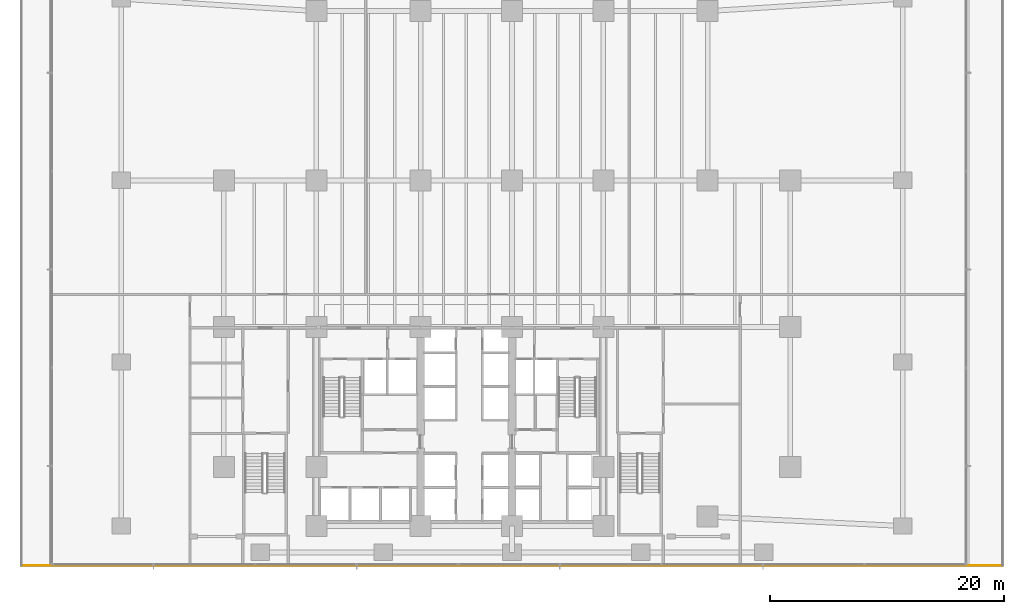
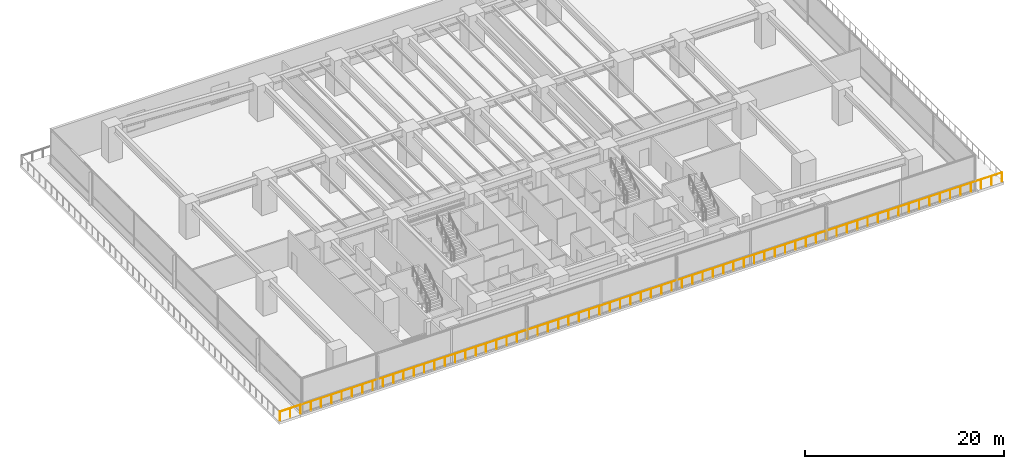
# One storey, part 21 of 27: 1 railing.
"""IFC4 building model written with IfcOpenShell, lengths in metres."""

from ifc_helpers import new_model, si_unit, direction, frame, origin, origin_2d, place, context, subcontext, project, spatial, circle, extrude, material, type_object, element, save


model = new_model("IFC4")

# Units and contexts
model_context = context("Model", 3, precision=1e-05, world=origin(), true_north=direction((0.0, 1.0)))
body_context = subcontext(model_context, "Body", "Model", "MODEL_VIEW")
ifc_project = project(units=[si_unit("LENGTHUNIT", "METRE"), si_unit("AREAUNIT", "SQUARE_METRE"), si_unit("VOLUMEUNIT", "CUBIC_METRE"), si_unit("PLANEANGLEUNIT", "RADIAN"), si_unit("MASSUNIT", "GRAM", prefix="KILO")], contexts=[model_context])

# Site, building, storey
site_placement = place(None, origin())
site = spatial("IfcSite", under=ifc_project, at=site_placement, CompositionType="ELEMENT")
building_placement = place(site_placement, origin())
building = spatial("IfcBuilding", under=site, at=building_placement, Name="Qalmaran Belvedere Hotel", CompositionType="ELEMENT")
storey_placement = place(building_placement, frame((0.0, 0.0, 5.39990234375)))
storey = spatial("IfcBuildingStorey", under=building, at=storey_placement, Name="L01", CompositionType="ELEMENT", Elevation=5.39990234375)

# Railing
ifc_material = material(Name="Anodised Bronze Aluminium", Category="aluminium")
railing_type = type_object("IfcRailingType", Name="GRD-TERR-1150", PredefinedType="BALUSTRADE", material=ifc_material)
railing_placement = place(storey_placement, frame((-4.824951171875, 0.139892578125, 0.0)))
element("IfcRailing", 1, at=railing_placement, inside=storey, type_object=railing_type, Name="L01 Guardrail L01-TERR-1", PredefinedType="BALUSTRADE", context=body_context, shape_type="SweptSolid", body=[
    extrude(circle(Radius=0.02392578125, at=origin_2d()), frame((0.0, 0.0, 1.1259765625), z_axis=(1.0, 0.0, 0.0), x_axis=(0.0, 1.0, 0.0)), (0.0, 0.0, 1.0), 83.64990234375),
    extrude(circle(Radius=0.02099609375, at=origin_2d()), origin(), (0.0, 0.0, 1.0), 1.101806640625),
    extrude(circle(Radius=0.02099609375, at=origin_2d()), frame((1.195068359375, 0.0, 0.0)), (0.0, 0.0, 1.0), 1.101806640625),
    extrude(circle(Radius=0.02099609375, at=origin_2d()), frame((2.389892578125, 0.0, 0.0)), (0.0, 0.0, 1.0), 1.101806640625),
    extrude(circle(Radius=0.02099609375, at=origin_2d()), frame((3.5849609375, 0.0, 0.0)), (0.0, 0.0, 1.0), 1.101806640625),
    extrude(circle(Radius=0.02099609375, at=origin_2d()), frame((4.780029296875, 0.0, 0.0)), (0.0, 0.0, 1.0), 1.101806640625),
    extrude(circle(Radius=0.02099609375, at=origin_2d()), frame((5.97509765625, 0.0, 0.0)), (0.0, 0.0, 1.0), 1.101806640625),
    extrude(circle(Radius=0.02099609375, at=origin_2d()), frame((7.169921875, 0.0, 0.0)), (0.0, 0.0, 1.0), 1.101806640625),
    extrude(circle(Radius=0.02099609375, at=origin_2d()), frame((8.364990234375, 0.0, 0.0)), (0.0, 0.0, 1.0), 1.101806640625),
    extrude(circle(Radius=0.02099609375, at=origin_2d()), frame((9.56005859375, 0.0, 0.0)), (0.0, 0.0, 1.0), 1.101806640625),
    extrude(circle(Radius=0.02099609375, at=origin_2d()), frame((10.7548828125, 0.0, 0.0)), (0.0, 0.0, 1.0), 1.101806640625),
    extrude(circle(Radius=0.02099609375, at=origin_2d()), frame((11.949951171875, 0.0, 0.0)), (0.0, 0.0, 1.0), 1.101806640625),
    extrude(circle(Radius=0.02099609375, at=origin_2d()), frame((13.14501953125, 0.0, 0.0)), (0.0, 0.0, 1.0), 1.101806640625),
    extrude(circle(Radius=0.02099609375, at=origin_2d()), frame((14.340087890625, 0.0, 0.0)), (0.0, 0.0, 1.0), 1.101806640625),
    extrude(circle(Radius=0.02099609375, at=origin_2d()), frame((15.534912109375, 0.0, 0.0)), (0.0, 0.0, 1.0), 1.101806640625),
    extrude(circle(Radius=0.02099609375, at=origin_2d()), frame((16.72998046875, 0.0, 0.0)), (0.0, 0.0, 1.0), 1.101806640625),
    extrude(circle(Radius=0.02099609375, at=origin_2d()), frame((17.925048828125, 0.0, 0.0)), (0.0, 0.0, 1.0), 1.101806640625),
    extrude(circle(Radius=0.02099609375, at=origin_2d()), frame((19.119873046875, 0.0, 0.0)), (0.0, 0.0, 1.0), 1.101806640625),
    extrude(circle(Radius=0.02099609375, at=origin_2d()), frame((20.31494140625, 0.0, 0.0)), (0.0, 0.0, 1.0), 1.101806640625),
    extrude(circle(Radius=0.02099609375, at=origin_2d()), frame((21.510009765625, 0.0, 0.0)), (0.0, 0.0, 1.0), 1.101806640625),
    extrude(circle(Radius=0.02099609375, at=origin_2d()), frame((22.705078125, 0.0, 0.0)), (0.0, 0.0, 1.0), 1.101806640625),
    extrude(circle(Radius=0.02099609375, at=origin_2d()), frame((23.89990234375, 0.0, 0.0)), (0.0, 0.0, 1.0), 1.101806640625),
    extrude(circle(Radius=0.02099609375, at=origin_2d()), frame((25.094970703125, 0.0, 0.0)), (0.0, 0.0, 1.0), 1.101806640625),
    extrude(circle(Radius=0.02099609375, at=origin_2d()), frame((26.2900390625, 0.0, 0.0)), (0.0, 0.0, 1.0), 1.101806640625),
    extrude(circle(Radius=0.02099609375, at=origin_2d()), frame((27.48486328125, 0.0, 0.0)), (0.0, 0.0, 1.0), 1.101806640625),
    extrude(circle(Radius=0.02099609375, at=origin_2d()), frame((28.679931640625, 0.0, 0.0)), (0.0, 0.0, 1.0), 1.101806640625),
    extrude(circle(Radius=0.02099609375, at=origin_2d()), frame((29.875, 0.0, 0.0)), (0.0, 0.0, 1.0), 1.101806640625),
    extrude(circle(Radius=0.02099609375, at=origin_2d()), frame((31.070068359375, 0.0, 0.0)), (0.0, 0.0, 1.0), 1.101806640625),
    extrude(circle(Radius=0.02099609375, at=origin_2d()), frame((32.264892578125, 0.0, 0.0)), (0.0, 0.0, 1.0), 1.101806640625),
    extrude(circle(Radius=0.02099609375, at=origin_2d()), frame((33.4599609375, 0.0, 0.0)), (0.0, 0.0, 1.0), 1.101806640625),
    extrude(circle(Radius=0.02099609375, at=origin_2d()), frame((34.655029296875, 0.0, 0.0)), (0.0, 0.0, 1.0), 1.101806640625),
    extrude(circle(Radius=0.02099609375, at=origin_2d()), frame((35.849853515625, 0.0, 0.0)), (0.0, 0.0, 1.0), 1.101806640625),
    extrude(circle(Radius=0.02099609375, at=origin_2d()), frame((37.044921875, 0.0, 0.0)), (0.0, 0.0, 1.0), 1.101806640625),
    extrude(circle(Radius=0.02099609375, at=origin_2d()), frame((38.239990234375, 0.0, 0.0)), (0.0, 0.0, 1.0), 1.101806640625),
    extrude(circle(Radius=0.02099609375, at=origin_2d()), frame((39.43505859375, 0.0, 0.0)), (0.0, 0.0, 1.0), 1.101806640625),
    extrude(circle(Radius=0.02099609375, at=origin_2d()), frame((40.6298828125, 0.0, 0.0)), (0.0, 0.0, 1.0), 1.101806640625),
    extrude(circle(Radius=0.02099609375, at=origin_2d()), frame((41.824951171875, 0.0, 0.0)), (0.0, 0.0, 1.0), 1.101806640625),
    extrude(circle(Radius=0.02099609375, at=origin_2d()), frame((43.02001953125, 0.0, 0.0)), (0.0, 0.0, 1.0), 1.101806640625),
    extrude(circle(Radius=0.02099609375, at=origin_2d()), frame((44.21484375, 0.0, 0.0)), (0.0, 0.0, 1.0), 1.101806640625),
    extrude(circle(Radius=0.02099609375, at=origin_2d()), frame((45.409912109375, 0.0, 0.0)), (0.0, 0.0, 1.0), 1.101806640625),
    extrude(circle(Radius=0.02099609375, at=origin_2d()), frame((46.60498046875, 0.0, 0.0)), (0.0, 0.0, 1.0), 1.101806640625),
    extrude(circle(Radius=0.02099609375, at=origin_2d()), frame((47.800048828125, 0.0, 0.0)), (0.0, 0.0, 1.0), 1.101806640625),
    extrude(circle(Radius=0.02099609375, at=origin_2d()), frame((48.994873046875, 0.0, 0.0)), (0.0, 0.0, 1.0), 1.101806640625),
    extrude(circle(Radius=0.02099609375, at=origin_2d()), frame((50.18994140625, 0.0, 0.0)), (0.0, 0.0, 1.0), 1.101806640625),
    extrude(circle(Radius=0.02099609375, at=origin_2d()), frame((51.385009765625, 0.0, 0.0)), (0.0, 0.0, 1.0), 1.101806640625),
    extrude(circle(Radius=0.02099609375, at=origin_2d()), frame((52.579833984375, 0.0, 0.0)), (0.0, 0.0, 1.0), 1.101806640625),
    extrude(circle(Radius=0.02099609375, at=origin_2d()), frame((53.77490234375, 0.0, 0.0)), (0.0, 0.0, 1.0), 1.101806640625),
    extrude(circle(Radius=0.02099609375, at=origin_2d()), frame((54.969970703125, 0.0, 0.0)), (0.0, 0.0, 1.0), 1.101806640625),
    extrude(circle(Radius=0.02099609375, at=origin_2d()), frame((56.1650390625, 0.0, 0.0)), (0.0, 0.0, 1.0), 1.101806640625),
    extrude(circle(Radius=0.02099609375, at=origin_2d()), frame((57.35986328125, 0.0, 0.0)), (0.0, 0.0, 1.0), 1.101806640625),
    extrude(circle(Radius=0.02099609375, at=origin_2d()), frame((58.554931640625, 0.0, 0.0)), (0.0, 0.0, 1.0), 1.101806640625),
    extrude(circle(Radius=0.02099609375, at=origin_2d()), frame((59.75, 0.0, 0.0)), (0.0, 0.0, 1.0), 1.101806640625),
    extrude(circle(Radius=0.02099609375, at=origin_2d()), frame((60.94482421875, 0.0, 0.0)), (0.0, 0.0, 1.0), 1.101806640625),
    extrude(circle(Radius=0.02099609375, at=origin_2d()), frame((62.139892578125, 0.0, 0.0)), (0.0, 0.0, 1.0), 1.101806640625),
    extrude(circle(Radius=0.02099609375, at=origin_2d()), frame((63.3349609375, 0.0, 0.0)), (0.0, 0.0, 1.0), 1.101806640625),
    extrude(circle(Radius=0.02099609375, at=origin_2d()), frame((64.530029296875, 0.0, 0.0)), (0.0, 0.0, 1.0), 1.101806640625),
    extrude(circle(Radius=0.02099609375, at=origin_2d()), frame((65.724853515625, 0.0, 0.0)), (0.0, 0.0, 1.0), 1.101806640625),
    extrude(circle(Radius=0.02099609375, at=origin_2d()), frame((66.919921875, 0.0, 0.0)), (0.0, 0.0, 1.0), 1.101806640625),
    extrude(circle(Radius=0.02099609375, at=origin_2d()), frame((68.114990234375, 0.0, 0.0)), (0.0, 0.0, 1.0), 1.101806640625),
    extrude(circle(Radius=0.02099609375, at=origin_2d()), frame((69.309814453125, 0.0, 0.0)), (0.0, 0.0, 1.0), 1.101806640625),
    extrude(circle(Radius=0.02099609375, at=origin_2d()), frame((70.5048828125, 0.0, 0.0)), (0.0, 0.0, 1.0), 1.101806640625),
    extrude(circle(Radius=0.02099609375, at=origin_2d()), frame((71.699951171875, 0.0, 0.0)), (0.0, 0.0, 1.0), 1.101806640625),
    extrude(circle(Radius=0.02099609375, at=origin_2d()), frame((72.89501953125, 0.0, 0.0)), (0.0, 0.0, 1.0), 1.101806640625),
    extrude(circle(Radius=0.02099609375, at=origin_2d()), frame((74.08984375, 0.0, 0.0)), (0.0, 0.0, 1.0), 1.101806640625),
    extrude(circle(Radius=0.02099609375, at=origin_2d()), frame((75.284912109375, 0.0, 0.0)), (0.0, 0.0, 1.0), 1.101806640625),
    extrude(circle(Radius=0.02099609375, at=origin_2d()), frame((76.47998046875, 0.0, 0.0)), (0.0, 0.0, 1.0), 1.101806640625),
    extrude(circle(Radius=0.02099609375, at=origin_2d()), frame((77.6748046875, 0.0, 0.0)), (0.0, 0.0, 1.0), 1.101806640625),
    extrude(circle(Radius=0.02099609375, at=origin_2d()), frame((78.869873046875, 0.0, 0.0)), (0.0, 0.0, 1.0), 1.101806640625),
    extrude(circle(Radius=0.02099609375, at=origin_2d()), frame((80.06494140625, 0.0, 0.0)), (0.0, 0.0, 1.0), 1.101806640625),
    extrude(circle(Radius=0.02099609375, at=origin_2d()), frame((81.260009765625, 0.0, 0.0)), (0.0, 0.0, 1.0), 1.101806640625),
    extrude(circle(Radius=0.02099609375, at=origin_2d()), frame((82.454833984375, 0.0, 0.0)), (0.0, 0.0, 1.0), 1.101806640625),
    extrude(circle(Radius=0.02099609375, at=origin_2d()), frame((83.64990234375, 0.0, 0.0)), (0.0, 0.0, 1.0), 1.101806640625),
])

save(model, "model.ifc")
